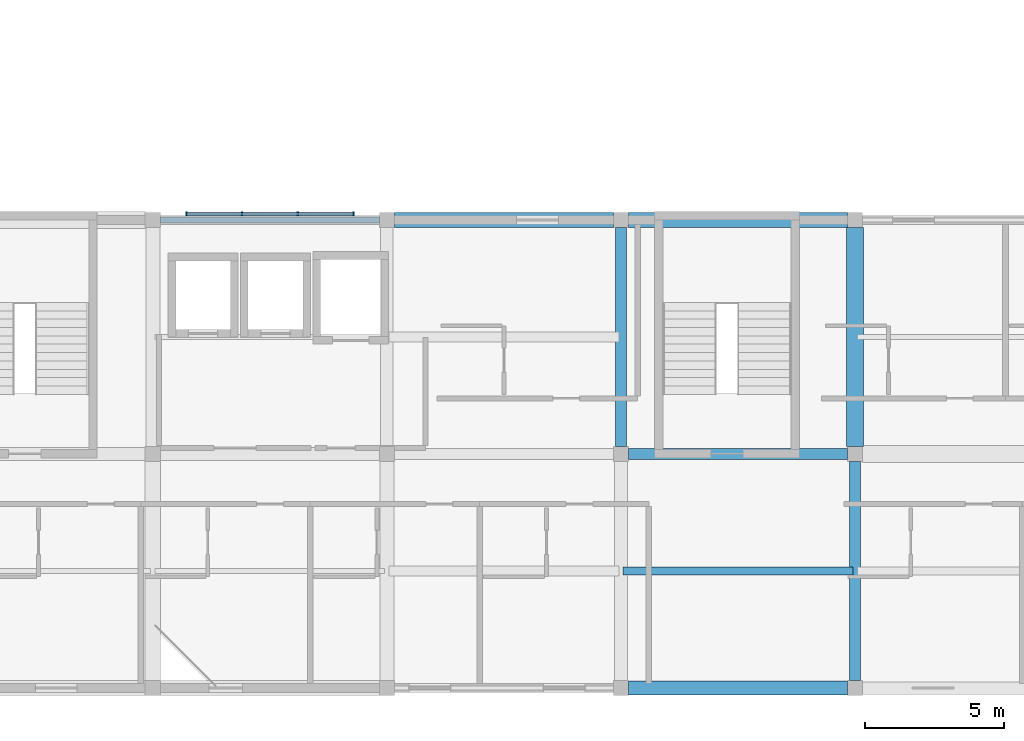
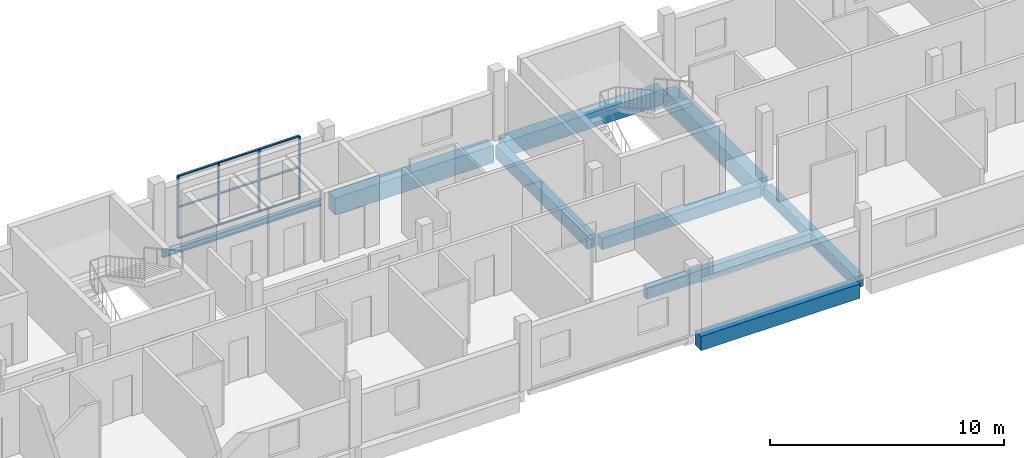
# One storey, part 4 of 20: 9 beams, 7 members, 1 element without a shape of its own.
"""IFC4 building model written with IfcOpenShell, lengths in metres."""

from ifc_helpers import new_model, si_unit, derived_unit, direction, frame, origin, origin_2d, place, context, subcontext, project, spatial, rectangle, i_section, extrude, material, material_profile, profile_set, type_object, element, aggregate, save


model = new_model("IFC4")

# Units and contexts
model_context = context("Model", 3, precision=1e-05, world=origin(), true_north=direction((0.0, 1.0)))
body_context = subcontext(model_context, "Body", "Model", "MODEL_VIEW")
ifc_project = project(units=[si_unit("LENGTHUNIT", "METRE"), si_unit("AREAUNIT", "SQUARE_METRE"), si_unit("VOLUMEUNIT", "CUBIC_METRE"), si_unit("PLANEANGLEUNIT", "RADIAN"), si_unit("MASSUNIT", "GRAM", prefix="KILO"), derived_unit("THERMALTRANSMITTANCEUNIT", [(si_unit("POWERUNIT", "WATT"), 1), (si_unit("LENGTHUNIT", "METRE"), -2), (si_unit("THERMODYNAMICTEMPERATUREUNIT", "KELVIN"), -1)])], contexts=[model_context])

# Site, building, storey
site_placement = place(None, origin())
site = spatial("IfcSite", under=ifc_project, at=site_placement, CompositionType="ELEMENT")
building_placement = place(site_placement, origin())
building = spatial("IfcBuilding", under=site, at=building_placement, Name="Barrovel Congress Hotel", CompositionType="ELEMENT")
storey_placement = place(building_placement, frame((0.0, 0.0, 36.300048828125)))
storey = spatial("IfcBuildingStorey", under=building, at=storey_placement, Name="L09", CompositionType="ELEMENT", Elevation=36.300048828125)

# Beams
ifc_material_1 = material(Name="Concrete C40", Category="concrete")
ifc_material_profile_1 = material_profile(ifc_material_1, rectangle(XDim=0.300048828125, YDim=0.60009765625, at=origin_2d()), Name="RC300x600")
ifc_profile_set_1 = profile_set([ifc_material_profile_1], Name="Concrete C40")
beam_type_1 = type_object("IfcBeamType", Name="BM-RC300x600", PredefinedType="JOIST", material=ifc_profile_set_1)
beam_1_placement = place(storey_placement, frame((100.8798828125, 8.39990234375, -0.52001953125), z_axis=(1.0, 0.0, 0.0), x_axis=(0.0, 1.0, 0.0)))
element("IfcBeam", 1, at=beam_1_placement, inside=storey, type_object=beam_type_1, Name="JST:L09:100.8:8.4", PredefinedType="JOIST", context=body_context, shape_type="SweptSolid", body=[
    extrude(rectangle(XDim=0.300048828125, YDim=0.60009765625, at=origin_2d()), origin(), (0.0, 0.0, 1.0), 8.240234375),
])
ifc_material_profile_2 = material_profile(ifc_material_1, rectangle(XDim=0.39990234375, YDim=0.60009765625, at=origin_2d()), Name="RC400x600")
ifc_profile_set_2 = profile_set([ifc_material_profile_2], Name="Concrete C40")
beam_type_2 = type_object("IfcBeamType", Name="BM-RC400x600", PredefinedType="BEAM", material=ifc_profile_set_2)
beam_2_placement = place(storey_placement, frame((101.074951171875, 12.60009765625, -0.52001953125), z_axis=(1.0, 0.0, 0.0), x_axis=(0.0, 1.0, 0.0)))
element("IfcBeam", 2, at=beam_2_placement, inside=storey, type_object=beam_type_2, Name="BMX:L09:12.6:100.8-109.2", PredefinedType="BEAM", context=body_context, shape_type="SweptSolid", body=[
    extrude(rectangle(XDim=0.39990234375, YDim=0.60009765625, at=origin_2d()), origin(), (0.0, 0.0, 1.0), 7.85009765625),
])
beam_3_placement = place(storey_placement, frame((109.199951171875, 4.47509765625, -0.52001953125), z_axis=(0.0, 1.0, 0.0), x_axis=(-1.0, 0.0, 0.0)))
element("IfcBeam", 3, at=beam_3_placement, inside=storey, type_object=beam_type_2, Name="BMY:L09:109.2:4.2-12.6", PredefinedType="BEAM", context=body_context, shape_type="SweptSolid", body=[
    extrude(rectangle(XDim=0.39990234375, YDim=0.60009765625, at=origin_2d()), origin(), (0.0, 0.0, 1.0), 7.849853515625),
])
ifc_material_profile_3 = material_profile(ifc_material_1, rectangle(XDim=0.39990234375, YDim=0.699951171875, at=origin_2d()), Name="RC400x700")
ifc_profile_set_3 = profile_set([ifc_material_profile_3], Name="Concrete C40")
beam_type_3 = type_object("IfcBeamType", Name="BM-RC400x700", PredefinedType="BEAM", material=ifc_profile_set_3)
beam_4_placement = place(storey_placement, frame((100.800048828125, 12.875, -0.570068359375), z_axis=(0.0, 1.0, 0.0), x_axis=(-1.0, 0.0, 0.0)))
element("IfcBeam", 4, at=beam_4_placement, inside=storey, type_object=beam_type_3, Name="BMY:L09:100.8:12.6-21.0", PredefinedType="BEAM", context=body_context, shape_type="SweptSolid", body=[
    extrude(rectangle(XDim=0.39990234375, YDim=0.699951171875, at=origin_2d()), origin(), (0.0, 0.0, 1.0), 7.85009765625),
])
ifc_material_profile_4 = material_profile(ifc_material_1, rectangle(XDim=0.5, YDim=0.75, at=origin_2d()), Name="RC500x750")
ifc_profile_set_4 = profile_set([ifc_material_profile_4], Name="Concrete C40")
beam_type_4 = type_object("IfcBeamType", Name="BM-RC500x750", PredefinedType="BEAM", material=ifc_profile_set_4)
beam_5_placement = place(storey_placement, frame((101.074951171875, 4.199951171875, -0.594970703125), z_axis=(1.0, 0.0, 0.0), x_axis=(0.0, 1.0, 0.0)))
element("IfcBeam", 5, at=beam_5_placement, inside=storey, type_object=beam_type_4, Name="BMX:L09:4.2:100.8-109.2", PredefinedType="BEAM", context=body_context, shape_type="SweptSolid", body=[
    extrude(rectangle(XDim=0.5, YDim=0.75, at=origin_2d()), origin(), (0.0, 0.0, 1.0), 7.85009765625),
])
ifc_material_profile_5 = material_profile(ifc_material_1, rectangle(XDim=0.550048828125, YDim=0.800048828125, at=origin_2d()), Name="RC550x800")
ifc_profile_set_5 = profile_set([ifc_material_profile_5], Name="Concrete C40")
beam_type_5 = type_object("IfcBeamType", Name="BM-RC550x800", PredefinedType="BEAM", material=ifc_profile_set_5)
beam_6_placement = place(storey_placement, frame((101.074951171875, 21.0, -0.6201171875), z_axis=(1.0, 0.0, 0.0), x_axis=(0.0, 1.0, 0.0)))
element("IfcBeam", 6, at=beam_6_placement, inside=storey, type_object=beam_type_5, Name="BMX:L09:21.0:100.8-109.2", PredefinedType="BEAM", context=body_context, shape_type="SweptSolid", body=[
    extrude(rectangle(XDim=0.550048828125, YDim=0.800048828125, at=origin_2d()), origin(), (0.0, 0.0, 1.0), 7.85009765625),
])
ifc_material_profile_6 = material_profile(ifc_material_1, rectangle(XDim=0.550048828125, YDim=0.89990234375, at=origin_2d()), Name="RC550x900")
ifc_profile_set_6 = profile_set([ifc_material_profile_6], Name="Concrete C40")
beam_type_6 = type_object("IfcBeamType", Name="BM-RC550x900", PredefinedType="BEAM", material=ifc_profile_set_6)
beam_7_placement = place(storey_placement, frame((92.675048828125, 21.0, -0.670166015625), z_axis=(1.0, 0.0, 0.0), x_axis=(0.0, 1.0, 0.0)))
element("IfcBeam", 7, at=beam_7_placement, inside=storey, type_object=beam_type_6, Name="BMX:L09:21.0:92.4-100.8", PredefinedType="BEAM", context=body_context, shape_type="SweptSolid", body=[
    extrude(rectangle(XDim=0.550048828125, YDim=0.89990234375, at=origin_2d()), origin(), (0.0, 0.0, 1.0), 7.849853515625),
])
ifc_material_profile_7 = material_profile(ifc_material_1, rectangle(XDim=0.60009765625, YDim=0.949951171875, at=origin_2d()), Name="RC600x950")
ifc_profile_set_7 = profile_set([ifc_material_profile_7], Name="Concrete C40")
beam_type_7 = type_object("IfcBeamType", Name="BM-RC600x950", PredefinedType="BEAM", material=ifc_profile_set_7)
beam_8_placement = place(storey_placement, frame((109.199951171875, 12.875, -0.695068359375), z_axis=(0.0, 1.0, 0.0), x_axis=(-1.0, 0.0, 0.0)))
element("IfcBeam", 8, at=beam_8_placement, inside=storey, type_object=beam_type_7, Name="BMY:L09:109.2:12.6-21.0", PredefinedType="BEAM", context=body_context, shape_type="SweptSolid", body=[
    extrude(rectangle(XDim=0.60009765625, YDim=0.949951171875, at=origin_2d()), origin(), (0.0, 0.0, 1.0), 7.85009765625),
])

# Curtain wall, members
ifc_material_2 = material(Name="Anodised Aluminium Alloy 6063-T6", Category="aluminium")
curtain_wall_type = type_object("IfcCurtainWallType", Name="CW-UN-6000x3200", PredefinedType="USERDEFINED", material=ifc_material_2)
curtain_wall_placement = place(storey_placement, origin())
curtain_wall = element("IfcCurtainWall", 9, at=curtain_wall_placement, inside=storey, type_object=curtain_wall_type, Name="CW:L09:UN-4", ObjectType="UNITISED CURTAIN WALL", PredefinedType="USERDEFINED")
ifc_material_profile_8 = material_profile(ifc_material_2, rectangle(XDim=0.06005859375, YDim=0.139892578125, at=origin_2d()), Name="AL-M60x140")
ifc_profile_set_8 = profile_set([ifc_material_profile_8], Name="Anodised Aluminium Alloy 6063-T6")
member_type_1 = type_object("IfcMemberType", Name="CWM-AL-M60x140", PredefinedType="MULLION", material=ifc_profile_set_8)
member_1_placement = place(storey_placement, frame((85.199951171875, 21.219970703125, 0.0), z_axis=(0.0, 0.0, 1.0), x_axis=(1.0, 0.0, 0.0)))
member_1 = element("IfcMember", 10, at=member_1_placement, type_object=member_type_1, Name="CW:L09:UN-4:M0", PredefinedType="MULLION", context=body_context, shape_type="SweptSolid", body=[
    extrude(rectangle(XDim=0.06005859375, YDim=0.139892578125, at=origin_2d()), origin(), (0.0, 0.0, 1.0), 3.25),
])
member_2_placement = place(storey_placement, frame((87.199951171875, 21.219970703125, 0.0), z_axis=(0.0, 0.0, 1.0), x_axis=(1.0, 0.0, 0.0)))
member_2 = element("IfcMember", 11, at=member_2_placement, type_object=member_type_1, Name="CW:L09:UN-4:M1", PredefinedType="MULLION", context=body_context, shape_type="SweptSolid", body=[
    extrude(rectangle(XDim=0.06005859375, YDim=0.139892578125, at=origin_2d()), origin(), (0.0, 0.0, 1.0), 3.25),
])
member_3_placement = place(storey_placement, frame((89.199951171875, 21.219970703125, 0.0), z_axis=(0.0, 0.0, 1.0), x_axis=(1.0, 0.0, 0.0)))
member_3 = element("IfcMember", 12, at=member_3_placement, type_object=member_type_1, Name="CW:L09:UN-4:M2", PredefinedType="MULLION", context=body_context, shape_type="SweptSolid", body=[
    extrude(rectangle(XDim=0.06005859375, YDim=0.139892578125, at=origin_2d()), origin(), (0.0, 0.0, 1.0), 3.25),
])
member_4_placement = place(storey_placement, frame((91.199951171875, 21.219970703125, 0.0), z_axis=(0.0, 0.0, 1.0), x_axis=(1.0, 0.0, 0.0)))
member_4 = element("IfcMember", 13, at=member_4_placement, type_object=member_type_1, Name="CW:L09:UN-4:M3", PredefinedType="MULLION", context=body_context, shape_type="SweptSolid", body=[
    extrude(rectangle(XDim=0.06005859375, YDim=0.139892578125, at=origin_2d()), origin(), (0.0, 0.0, 1.0), 3.25),
])
ifc_material_profile_9 = material_profile(ifc_material_2, rectangle(XDim=0.10498046875, YDim=0.06005859375, at=origin_2d()), Name="AL-T60x105")
ifc_profile_set_9 = profile_set([ifc_material_profile_9], Name="Anodised Aluminium Alloy 6063-T6")
member_type_2 = type_object("IfcMemberType", Name="CWT-AL-T60x105", PredefinedType="USERDEFINED", material=ifc_profile_set_9)
member_5_placement = place(storey_placement, frame((85.199951171875, 21.219970703125, 0.0), z_axis=(1.0, 0.0, 0.0), x_axis=(0.0, 1.0, 0.0)))
member_5 = element("IfcMember", 14, at=member_5_placement, type_object=member_type_2, Name="CW:L09:UN-4:T0", ObjectType="TRANSOM", PredefinedType="USERDEFINED", context=body_context, shape_type="SweptSolid", body=[
    extrude(rectangle(XDim=0.10498046875, YDim=0.06005859375, at=origin_2d()), origin(), (0.0, 0.0, 1.0), 6.0),
])
member_6_placement = place(storey_placement, frame((85.199951171875, 21.219970703125, 1.625), z_axis=(1.0, 0.0, 0.0), x_axis=(0.0, 1.0, 0.0)))
member_6 = element("IfcMember", 15, at=member_6_placement, type_object=member_type_2, Name="CW:L09:UN-4:T1", ObjectType="TRANSOM", PredefinedType="USERDEFINED", context=body_context, shape_type="SweptSolid", body=[
    extrude(rectangle(XDim=0.10498046875, YDim=0.06005859375, at=origin_2d()), origin(), (0.0, 0.0, 1.0), 6.0),
])
member_7_placement = place(storey_placement, frame((85.199951171875, 21.219970703125, 3.25), z_axis=(1.0, 0.0, 0.0), x_axis=(0.0, 1.0, 0.0)))
member_7 = element("IfcMember", 16, at=member_7_placement, type_object=member_type_2, Name="CW:L09:UN-4:T2", ObjectType="TRANSOM", PredefinedType="USERDEFINED", context=body_context, shape_type="SweptSolid", body=[
    extrude(rectangle(XDim=0.10498046875, YDim=0.06005859375, at=origin_2d()), origin(), (0.0, 0.0, 1.0), 6.0),
])
aggregate(curtain_wall, [member_1, member_2, member_3, member_4, member_5, member_6, member_7])

# Beam
ifc_material_3 = material(Name="Steel ASTM A992 Grade 50", Category="steel")
ifc_material_profile_10 = material_profile(ifc_material_3, i_section(OverallWidth=0.205078125, OverallDepth=0.31005859375, WebThickness=0.009521484375, FlangeThickness=0.016357421875, FilletRadius=0.012939453125, at=origin_2d()), Name="W310x74")
ifc_profile_set_10 = profile_set([ifc_material_profile_10], Name="Steel ASTM A992 Grade 50")
beam_type_8 = type_object("IfcBeamType", Name="SBM-W310x74", PredefinedType="SPANDREL", material=ifc_profile_set_10)
beam_9_placement = place(storey_placement, frame((84.27490234375, 21.0, -0.375), z_axis=(1.0, 0.0, 0.0), x_axis=(0.0, 1.0, 0.0)))
element("IfcBeam", 17, at=beam_9_placement, inside=storey, type_object=beam_type_8, Name="BMX:L09:21.0:84.0-92.4", PredefinedType="SPANDREL", context=body_context, shape_type="SweptSolid", body=[
    extrude(i_section(OverallWidth=0.205078125, OverallDepth=0.31005859375, WebThickness=0.009521484375, FlangeThickness=0.016357421875, FilletRadius=0.012939453125, at=origin_2d()), origin(), (0.0, 0.0, 1.0), 7.85009765625),
])

save(model, "model.ifc")
